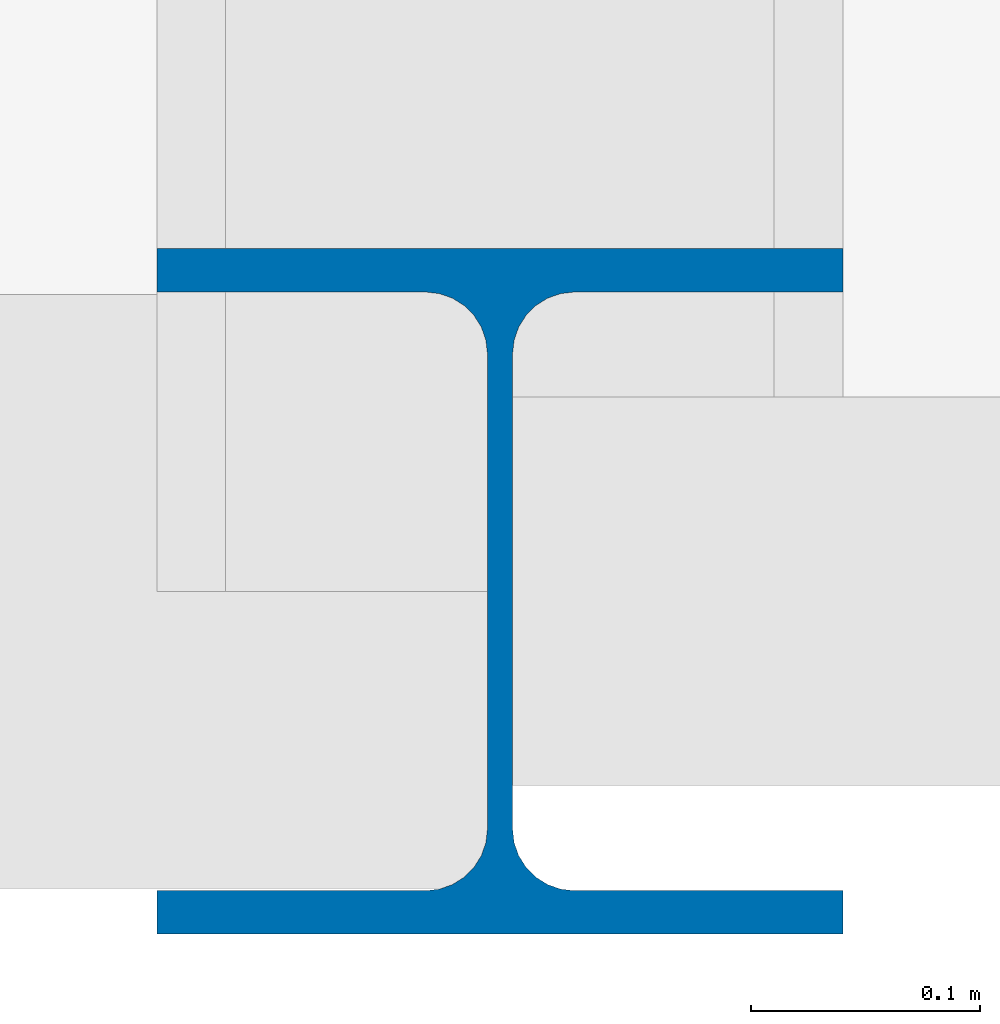
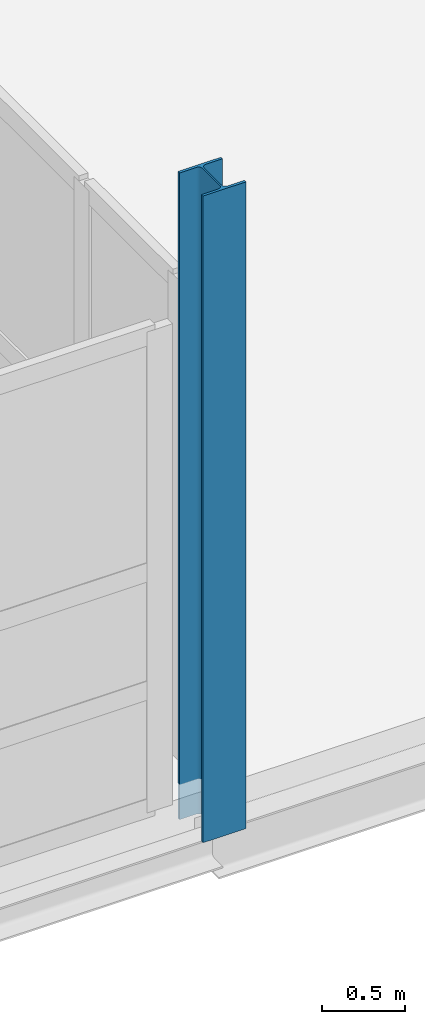
# One storey, part 8 of 73: 1 column.
"""IFC4 building model written with IfcOpenShell, lengths in metres."""

from ifc_helpers import new_model, si_unit, direction, frame, origin, origin_2d, place, context, subcontext, project, spatial, i_section, extrude, material, material_profile, profile_set, type_object, element, save


model = new_model("IFC4")

# Units and contexts
model_context = context("Model", 3, precision=1e-05, world=origin(), true_north=direction((0.0, 1.0)))
body_context = subcontext(model_context, "Body", "Model", "MODEL_VIEW")
ifc_project = project(units=[si_unit("LENGTHUNIT", "METRE"), si_unit("AREAUNIT", "SQUARE_METRE"), si_unit("VOLUMEUNIT", "CUBIC_METRE"), si_unit("PLANEANGLEUNIT", "RADIAN"), si_unit("MASSUNIT", "GRAM", prefix="KILO")], contexts=[model_context])

# Site, building, storey
site_placement = place(None, origin())
site = spatial("IfcSite", under=ifc_project, at=site_placement, CompositionType="ELEMENT")
building_placement = place(site_placement, origin())
building = spatial("IfcBuilding", under=site, at=building_placement, Name="Alderhovde Museum", CompositionType="ELEMENT")
storey_placement = place(building_placement, frame((0.0, 0.0, 12.89990234375)))
storey = spatial("IfcBuildingStorey", under=building, at=storey_placement, Name="L03", CompositionType="ELEMENT", Elevation=12.89990234375)

# Column
ifc_material = material(Name="Steel S355J2", Category="steel")
ifc_material_profile = material_profile(ifc_material, i_section(OverallWidth=0.300048828125, OverallDepth=0.300048828125, WebThickness=0.010986328125, FlangeThickness=0.01904296875, FilletRadius=0.027099609375, at=origin_2d()), Name="HEB 300")
ifc_profile_set = profile_set([ifc_material_profile], Name="Steel S355J2")
column_type = type_object("IfcColumnType", Name="COL-HEB300", PredefinedType="COLUMN", material=ifc_profile_set)
column_placement = place(storey_placement, frame((115.199951171875, 32.0, -0.260009765625), z_axis=(0.0, 0.0, 1.0), x_axis=(1.0, 0.0, 0.0)))
element("IfcColumn", 1, at=column_placement, inside=storey, type_object=column_type, Name="L03 Column (115.2, 32.0)", PredefinedType="COLUMN", context=body_context, shape_type="SweptSolid", body=[
    extrude(i_section(OverallWidth=0.300048828125, OverallDepth=0.300048828125, WebThickness=0.010986328125, FlangeThickness=0.01904296875, FilletRadius=0.027099609375, at=origin_2d()), origin(), (0.0, 0.0, 1.0), 4.760009765625),
])

save(model, "model.ifc")
